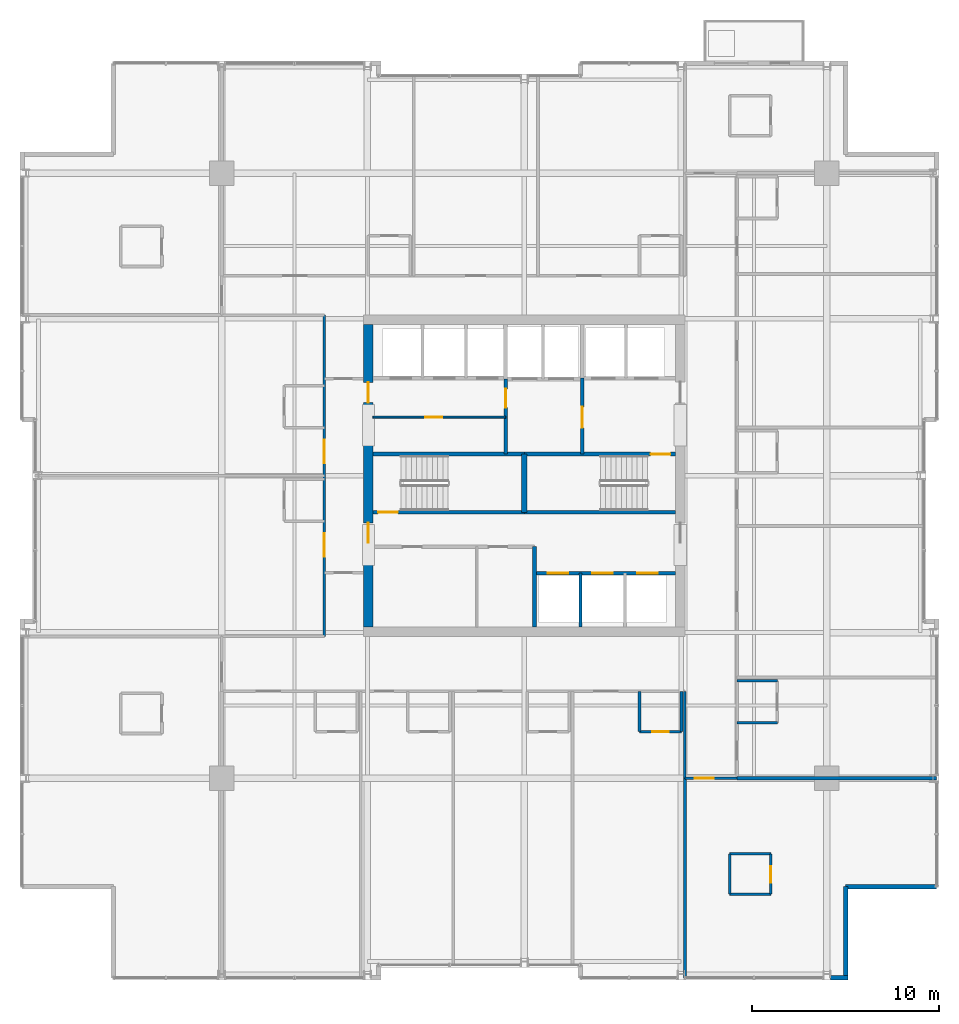
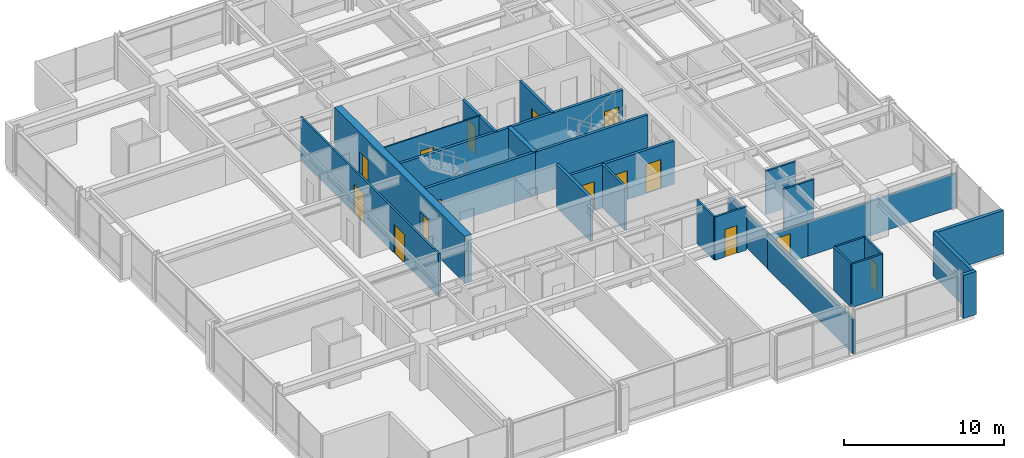
# One storey, part 28 of 33: 29 walls, 15 doors, 15 openings.
"""IFC4 building model written with IfcOpenShell, lengths in metres."""

from ifc_helpers import new_model, si_unit, direction, frame, frame_2d, origin, place, context, subcontext, project, spatial, rectangle, extrude, material, layer, layer_set, type_object, element, fill, save


model = new_model("IFC4")

# Units and contexts
model_context = context("Model", 3, precision=1e-05, world=origin(), true_north=direction((0.0, 1.0)))
body_context = subcontext(model_context, "Body", "Model", "MODEL_VIEW")
ifc_project = project(units=[si_unit("LENGTHUNIT", "METRE"), si_unit("AREAUNIT", "SQUARE_METRE"), si_unit("VOLUMEUNIT", "CUBIC_METRE"), si_unit("PLANEANGLEUNIT", "RADIAN"), si_unit("MASSUNIT", "GRAM", prefix="KILO")], contexts=[model_context])

# Site, building, storey
site_placement = place(None, origin())
site = spatial("IfcSite", under=ifc_project, at=site_placement, CompositionType="ELEMENT")
building_placement = place(site_placement, origin())
building = spatial("IfcBuilding", under=site, at=building_placement, Name="Drelvath Grand Hotel", CompositionType="ELEMENT")
storey_placement = place(building_placement, frame((0.0, 0.0, 178.800048828125)))
storey = spatial("IfcBuildingStorey", under=building, at=storey_placement, Name="L46", CompositionType="ELEMENT", Elevation=178.800048828125)

# Wall, opening, door
ifc_material_1 = material(Name="Gypsum Partition Board")
ifc_layer_1 = layer(ifc_material_1, 0.10009765625)
ifc_layer_set_1 = layer_set([ifc_layer_1], Name="Gypsum Partition Board")
wall_type_1 = type_object("IfcWallType", Name="Core Closet Partition 100", PredefinedType="PARTITIONING", material=ifc_layer_set_1)
wall_1_placement = place(storey_placement, frame((-8.10009765625, 30.139892578125, 0.0), z_axis=(0.0, 0.0, 1.0), x_axis=(1.0, 0.0, 0.0)))
wall_1 = element("IfcWall", 1, at=wall_1_placement, inside=storey, type_object=wall_type_1, Name="L46 High-Rise Lobby Closet Wall", PredefinedType="PARTITIONING", context=body_context, shape_type="SweptSolid", body=[
    extrude(rectangle(XDim=7.10009765625, YDim=0.10009765625, at=frame_2d((3.550048828125, 0.0))), origin(), (0.0, 0.0, 1.0), 3.2900390625),
])
opening_1_placement = place(wall_1_placement, frame((2.800048828125, 0.0, 0.0)))
opening_1 = element("IfcOpeningElement", 2, at=opening_1_placement, cuts=wall_1, Name="Opening D-T3G3-014", PredefinedType="OPENING", context=body_context, shape_type="SweptSolid", body=[
    extrude(rectangle(XDim=0.919921875, YDim=2.10009765625, at=frame_2d((0.4599609375, 1.050048828125))), frame((0.0, 0.06005859375, 0.0), z_axis=(0.0, -1.0, 0.0), x_axis=(1.0, 0.0, 0.0)), (0.0, 0.0, 1.0), 0.1201171875),
])
ifc_material_2 = material(Name="Painted Steel S275", Category="steel")
door_type_1 = type_object("IfcDoorType", Name="Staff Utility Door 920x2100", OperationType="NOTDEFINED", PredefinedType="DOOR", material=ifc_material_2)
door_1_placement = place(opening_1_placement, origin())
door_1 = element("IfcDoor", 3, at=door_1_placement, inside=storey, type_object=door_type_1, Name="L46 Core Telecom Door", OperationType="SINGLE_SWING_LEFT", OverallHeight=2.10009765625, OverallWidth=0.919921875, PredefinedType="DOOR", context=body_context, shape_type="SweptSolid", body=[
    extrude(rectangle(XDim=0.919921875, YDim=2.10009765625, at=frame_2d((0.4599609375, 1.050048828125))), frame((0.0, 0.02490234375, 0.0), z_axis=(0.0, -1.0, 0.0), x_axis=(1.0, 0.0, 0.0)), (0.0, 0.0, 1.0), 0.050048828125),
])
fill(opening_1, door_1)

# Wall, openings, doors
ifc_material_3 = material(Name="Concrete C40/50", Category="concrete")
ifc_layer_2 = layer(ifc_material_3, 0.199951171875)
ifc_layer_set_2 = layer_set([ifc_layer_2], Name="Concrete C40/50")
wall_type_2 = type_object("IfcWallType", Name="Core Hoistway Fire Wall 200", PredefinedType="SOLIDWALL", material=ifc_layer_set_2)
wall_2_placement = place(storey_placement, frame((8.10009765625, 21.780029296875, 0.0), z_axis=(0.0, 0.0, 1.0), x_axis=(-1.0, 0.0, 0.0)))
wall_2 = element("IfcWall", 4, at=wall_2_placement, inside=storey, type_object=wall_type_2, Name="L46 Bank 2 Hoistway Wall", PredefinedType="SOLIDWALL", context=body_context, shape_type="SweptSolid", body=[
    extrude(rectangle(XDim=7.550048828125, YDim=0.199951171875, at=frame_2d((3.77490234375, 0.0))), origin(), (0.0, 0.0, 1.0), 3.2900390625),
])
opening_2_placement = place(wall_2_placement, frame((5.75, 0.0, 0.0)))
opening_2 = element("IfcOpeningElement", 5, at=opening_2_placement, cuts=wall_2, Name="Opening LD-PE-4", PredefinedType="OPENING", context=body_context, shape_type="SweptSolid", body=[
    extrude(rectangle(XDim=1.10009765625, YDim=2.199951171875, at=frame_2d((0.550048828125, 1.10009765625))), frame((0.0, 0.10986328125, 0.0), z_axis=(0.0, -1.0, 0.0), x_axis=(1.0, 0.0, 0.0)), (0.0, 0.0, 1.0), 0.219970703125),
])
opening_3_placement = place(wall_2_placement, frame((3.35009765625, 0.0, 0.0)))
opening_3 = element("IfcOpeningElement", 6, at=opening_3_placement, cuts=wall_2, Name="Opening LD-PE-5", PredefinedType="OPENING", context=body_context, shape_type="SweptSolid", body=[
    extrude(rectangle(XDim=1.10009765625, YDim=2.199951171875, at=frame_2d((0.550048828125, 1.10009765625))), frame((0.0, 0.10986328125, 0.0), z_axis=(0.0, -1.0, 0.0), x_axis=(1.0, 0.0, 0.0)), (0.0, 0.0, 1.0), 0.219970703125),
])
opening_4_placement = place(wall_2_placement, frame((0.949951171875, 0.0, 0.0)))
opening_4 = element("IfcOpeningElement", 7, at=opening_4_placement, cuts=wall_2, Name="Opening LD-PE-6", PredefinedType="OPENING", context=body_context, shape_type="SweptSolid", body=[
    extrude(rectangle(XDim=1.10009765625, YDim=2.199951171875, at=frame_2d((0.550048828125, 1.10009765625))), frame((0.0, 0.10986328125, 0.0), z_axis=(0.0, -1.0, 0.0), x_axis=(1.0, 0.0, 0.0)), (0.0, 0.0, 1.0), 0.219970703125),
])
ifc_material_4 = material(Name="Stainless Steel S355", Category="steel")
door_type_2 = type_object("IfcDoorType", Name="Passenger Lift Sliding Landing Door 1100x2200", OperationType="NOTDEFINED", PredefinedType="DOOR", material=ifc_material_4)
door_2_placement = place(opening_2_placement, origin())
door_2 = element("IfcDoor", 8, at=door_2_placement, inside=storey, type_object=door_type_2, Name="L46 Lift PE-4 Landing Door", OperationType="SLIDING_TO_LEFT", OverallHeight=2.199951171875, OverallWidth=1.10009765625, PredefinedType="DOOR", context=body_context, shape_type="SweptSolid", body=[
    extrude(rectangle(XDim=1.10009765625, YDim=2.199951171875, at=frame_2d((0.550048828125, 1.10009765625))), frame((0.0, 0.02490234375, 0.0), z_axis=(0.0, -1.0, 0.0), x_axis=(1.0, 0.0, 0.0)), (0.0, 0.0, 1.0), 0.050048828125),
])
fill(opening_2, door_2)
door_3_placement = place(opening_3_placement, origin())
door_3 = element("IfcDoor", 9, at=door_3_placement, inside=storey, type_object=door_type_2, Name="L46 Lift PE-5 Landing Door", OperationType="SLIDING_TO_LEFT", OverallHeight=2.199951171875, OverallWidth=1.10009765625, PredefinedType="DOOR", context=body_context, shape_type="SweptSolid", body=[
    extrude(rectangle(XDim=1.10009765625, YDim=2.199951171875, at=frame_2d((0.550048828125, 1.10009765625))), frame((0.0, 0.02490234375, 0.0), z_axis=(0.0, -1.0, 0.0), x_axis=(1.0, 0.0, 0.0)), (0.0, 0.0, 1.0), 0.050048828125),
])
fill(opening_3, door_3)
door_4_placement = place(opening_4_placement, origin())
door_4 = element("IfcDoor", 10, at=door_4_placement, inside=storey, type_object=door_type_2, Name="L46 Lift PE-6 Landing Door", OperationType="SLIDING_TO_LEFT", OverallHeight=2.199951171875, OverallWidth=1.10009765625, PredefinedType="DOOR", context=body_context, shape_type="SweptSolid", body=[
    extrude(rectangle(XDim=1.10009765625, YDim=2.199951171875, at=frame_2d((0.550048828125, 1.10009765625))), frame((0.0, 0.02490234375, 0.0), z_axis=(0.0, -1.0, 0.0), x_axis=(1.0, 0.0, 0.0)), (0.0, 0.0, 1.0), 0.050048828125),
])
fill(opening_4, door_4)

# Wall
wall_3_placement = place(storey_placement, frame((0.550048828125, 18.89990234375, 0.0), z_axis=(0.0, 0.0, 1.0), x_axis=(0.0, 1.0, 0.0)))
element("IfcWall", 11, at=wall_3_placement, inside=storey, type_object=wall_type_2, Name="L46 Bank 2 West Wall", PredefinedType="SOLIDWALL", context=body_context, shape_type="SweptSolid", body=[
    extrude(rectangle(XDim=4.300048828125, YDim=0.199951171875, at=frame_2d((2.14990234375, 0.0))), origin(), (0.0, 0.0, 1.0), 3.2900390625),
])

# Wall, opening, door
ifc_layer_3 = layer(ifc_material_3, 0.199951171875)
ifc_layer_set_3 = layer_set([ifc_layer_3], Name="Concrete C40/50")
wall_type_3 = type_object("IfcWallType", Name="Core Shaft Fire Wall 200", PredefinedType="SOLIDWALL", material=ifc_layer_set_3)
wall_4_placement = place(storey_placement, frame((-8.10009765625, 25.0400390625, 0.0), z_axis=(0.0, 0.0, 1.0), x_axis=(1.0, 0.0, 0.0)))
wall_4 = element("IfcWall", 12, at=wall_4_placement, inside=storey, type_object=wall_type_3, Name="L46 Stair ST-1 South Wall", PredefinedType="SOLIDWALL", context=body_context, shape_type="SweptSolid", body=[
    extrude(rectangle(XDim=8.10009765625, YDim=0.199951171875, at=frame_2d((4.050048828125, 0.0))), origin(), (0.0, 0.0, 1.0), 3.2900390625),
])
opening_5_placement = place(wall_4_placement, frame((0.280029296875, 0.0, 0.0)))
opening_5 = element("IfcOpeningElement", 13, at=opening_5_placement, cuts=wall_4, Name="Opening D-T3G3-001", PredefinedType="OPENING", context=body_context, shape_type="SweptSolid", body=[
    extrude(rectangle(XDim=1.050048828125, YDim=2.10009765625, at=frame_2d((0.52490234375, 1.050048828125))), frame((0.0, 0.10986328125, 0.0), z_axis=(0.0, -1.0, 0.0), x_axis=(1.0, 0.0, 0.0)), (0.0, 0.0, 1.0), 0.219970703125),
])
door_type_3 = type_object("IfcDoorType", Name="Tower Stairwell Fire Door 1050x2100", OperationType="NOTDEFINED", PredefinedType="DOOR", material=ifc_material_2)
door_5_placement = place(opening_5_placement, origin())
door_5 = element("IfcDoor", 14, at=door_5_placement, inside=storey, type_object=door_type_3, Name="L46 Exit Stair ST-1 Door", OperationType="SINGLE_SWING_LEFT", OverallHeight=2.10009765625, OverallWidth=1.050048828125, PredefinedType="DOOR", context=body_context, shape_type="SweptSolid", body=[
    extrude(rectangle(XDim=1.050048828125, YDim=2.10009765625, at=frame_2d((0.52490234375, 1.050048828125))), frame((0.0, 0.02490234375, 0.0), z_axis=(0.0, -1.0, 0.0), x_axis=(1.0, 0.0, 0.0)), (0.0, 0.0, 1.0), 0.050048828125),
])
fill(opening_5, door_5)

# Walls
for number, where, z_axis, x_axis, name in (
    (15, (-8.10009765625, 28.159912109375, 0.0), (0.0, 0.0, 1.0), (1.0, 0.0, 0.0), "L46 Stair ST-1 North Wall"),
    (16, (0.0, 25.0400390625, 0.0), (0.0, 0.0, 1.0), (1.0, 0.0, 0.0), "L46 Stair ST-2 South Wall"),
):
    element("IfcWall", number, at=place(storey_placement, frame(where, z_axis=z_axis, x_axis=x_axis)), inside=storey, type_object=wall_type_3, Name=name, PredefinedType="SOLIDWALL", context=body_context, shape_type="SweptSolid", body=[
        extrude(rectangle(XDim=8.10009765625, YDim=0.199951171875, at=frame_2d((4.050048828125, 0.0))), origin(), (0.0, 0.0, 1.0), 3.2900390625),
    ])

# Wall, opening, door
wall_5_placement = place(storey_placement, frame((8.10009765625, 28.159912109375, 0.0), z_axis=(0.0, 0.0, 1.0), x_axis=(-1.0, 0.0, 0.0)))
wall_5 = element("IfcWall", 17, at=wall_5_placement, inside=storey, type_object=wall_type_3, Name="L46 Stair ST-2 North Wall", PredefinedType="SOLIDWALL", context=body_context, shape_type="SweptSolid", body=[
    extrude(rectangle(XDim=8.10009765625, YDim=0.199951171875, at=frame_2d((4.050048828125, 0.0))), origin(), (0.0, 0.0, 1.0), 3.2900390625),
])
opening_6_placement = place(wall_5_placement, frame((0.280029296875, 0.0, 0.0)))
opening_6 = element("IfcOpeningElement", 18, at=opening_6_placement, cuts=wall_5, Name="Opening D-T3G3-002", PredefinedType="OPENING", context=body_context, shape_type="SweptSolid", body=[
    extrude(rectangle(XDim=1.050048828125, YDim=2.10009765625, at=frame_2d((0.52490234375, 1.050048828125))), frame((0.0, 0.10986328125, 0.0), z_axis=(0.0, -1.0, 0.0), x_axis=(1.0, 0.0, 0.0)), (0.0, 0.0, 1.0), 0.219970703125),
])
door_6_placement = place(opening_6_placement, origin())
door_6 = element("IfcDoor", 19, at=door_6_placement, inside=storey, type_object=door_type_3, Name="L46 Exit Stair ST-2 Door", OperationType="SINGLE_SWING_LEFT", OverallHeight=2.10009765625, OverallWidth=1.050048828125, PredefinedType="DOOR", context=body_context, shape_type="SweptSolid", body=[
    extrude(rectangle(XDim=1.050048828125, YDim=2.10009765625, at=frame_2d((0.52490234375, 1.050048828125))), frame((0.0, 0.02490234375, 0.0), z_axis=(0.0, -1.0, 0.0), x_axis=(1.0, 0.0, 0.0)), (0.0, 0.0, 1.0), 0.050048828125),
])
fill(opening_6, door_6)

# Walls
ifc_layer_4 = layer(ifc_material_3, 0.300048828125)
ifc_layer_set_4 = layer_set([ifc_layer_4], Name="Concrete C40/50")
wall_type_4 = type_object("IfcWallType", Name="Core Shaft Fire Wall 300", PredefinedType="SOLIDWALL", material=ifc_layer_set_4)
wall_6_placement = place(storey_placement, frame((0.0, 25.0400390625, 0.0), z_axis=(0.0, 0.0, 1.0), x_axis=(0.0, 1.0, 0.0)))
element("IfcWall", 20, at=wall_6_placement, inside=storey, type_object=wall_type_4, Name="L46 Core Stair Divider Wall", PredefinedType="SOLIDWALL", context=body_context, shape_type="SweptSolid", body=[
    extrude(rectangle(XDim=3.119873046875, YDim=0.300048828125, at=frame_2d((1.56005859375, 0.0))), origin(), (0.0, 0.0, 1.0), 3.2900390625),
])
ifc_material_5 = material(Name="Gypsum Fireboard Partition")
ifc_layer_5 = layer(ifc_material_5, 0.1650390625)
ifc_layer_set_5 = layer_set([ifc_layer_5], Name="Gypsum Fireboard Partition")
wall_type_5 = type_object("IfcWallType", Name="Core Shaft Partition 165", PredefinedType="PARTITIONING", material=ifc_layer_set_5)
wall_7_placement = place(storey_placement, frame((3.0, 18.89990234375, 0.0), z_axis=(0.0, 0.0, 1.0), x_axis=(0.0, 1.0, 0.0)))
element("IfcWall", 21, at=wall_7_placement, inside=storey, type_object=wall_type_5, Name="L46 Lift PE-4/5 Divider", PredefinedType="PARTITIONING", context=body_context, shape_type="SweptSolid", body=[
    extrude(rectangle(XDim=2.880126953125, YDim=0.1650390625, at=frame_2d((1.43994140625, 0.0))), origin(), (0.0, 0.0, 1.0), 3.2900390625),
])
ifc_layer_6 = layer(ifc_material_5, 0.135009765625)
ifc_layer_set_6 = layer_set([ifc_layer_6], Name="Gypsum Fireboard Partition")
wall_type_6 = type_object("IfcWallType", Name="Corridor Fire Barrier Wall 135", PredefinedType="PARTITIONING", material=ifc_layer_set_6)
wall_8_placement = place(storey_placement, frame((8.60009765625, 10.800048828125, 0.0), z_axis=(0.0, 0.0, 1.0), x_axis=(0.0, 1.0, 0.0)))
element("IfcWall", 22, at=wall_8_placement, inside=storey, type_object=wall_type_6, Name="L46 East Spine South Inner Wall", PredefinedType="PARTITIONING", context=body_context, shape_type="SweptSolid", body=[
    extrude(rectangle(XDim=4.64990234375, YDim=0.135009765625, at=frame_2d((2.324951171875, 0.0))), origin(), (0.0, 0.0, 1.0), 2.667236328125),
])

# Wall, openings, doors
wall_9_placement = place(storey_placement, frame((-10.699951171875, 18.39990234375, 0.0), z_axis=(0.0, 0.0, 1.0), x_axis=(0.0, 1.0, 0.0)))
wall_9 = element("IfcWall", 23, at=wall_9_placement, inside=storey, type_object=wall_type_6, Name="L46 West Spine Wall", PredefinedType="PARTITIONING", context=body_context, shape_type="SweptSolid", body=[
    extrude(rectangle(XDim=17.2001953125, YDim=0.135009765625, at=frame_2d((8.60009765625, 0.0))), origin(), (0.0, 0.0, 1.0), 3.2900390625),
])
opening_7_placement = place(wall_9_placement, frame((4.2548828125, 0.0, 0.0)))
opening_7 = element("IfcOpeningElement", 24, at=opening_7_placement, cuts=wall_9, Name="Opening D-T3G3-054", PredefinedType="OPENING", context=body_context, shape_type="SweptSolid", body=[
    extrude(rectangle(XDim=1.260009765625, YDim=2.199951171875, at=frame_2d((0.6298828125, 1.10009765625))), frame((0.0, 0.077392578125, 0.0), z_axis=(0.0, -1.0, 0.0), x_axis=(1.0, 0.0, 0.0)), (0.0, 0.0, 1.0), 0.155029296875),
])
opening_8_placement = place(wall_9_placement, frame((9.2548828125, 0.0, 0.0)))
opening_8 = element("IfcOpeningElement", 25, at=opening_8_placement, cuts=wall_9, Name="Opening D-T3G3-056", PredefinedType="OPENING", context=body_context, shape_type="SweptSolid", body=[
    extrude(rectangle(XDim=1.260009765625, YDim=2.199951171875, at=frame_2d((0.6298828125, 1.10009765625))), frame((0.0, 0.077392578125, 0.0), z_axis=(0.0, -1.0, 0.0), x_axis=(1.0, 0.0, 0.0)), (0.0, 0.0, 1.0), 0.155029296875),
])
ifc_material_6 = material(Name="Hardwood Walnut Timber", Category="wood")
door_type_4 = type_object("IfcDoorType", Name="Suite Entrance Fire Door 1260x2200", OperationType="NOTDEFINED", PredefinedType="DOOR", material=ifc_material_6)
door_7_placement = place(opening_7_placement, origin())
door_7 = element("IfcDoor", 26, at=door_7_placement, inside=storey, type_object=door_type_4, Name="L46 Executive Suite Entry Door", OperationType="SINGLE_SWING_RIGHT", OverallHeight=2.199951171875, OverallWidth=1.260009765625, PredefinedType="DOOR", context=body_context, shape_type="SweptSolid", body=[
    extrude(rectangle(XDim=1.260009765625, YDim=2.199951171875, at=frame_2d((0.6298828125, 1.10009765625))), frame((0.0, 0.02490234375, 0.0), z_axis=(0.0, -1.0, 0.0), x_axis=(1.0, 0.0, 0.0)), (0.0, 0.0, 1.0), 0.050048828125),
])
fill(opening_7, door_7)
door_8_placement = place(opening_8_placement, origin())
door_8 = element("IfcDoor", 27, at=door_8_placement, inside=storey, type_object=door_type_4, Name="L46 Executive Suite Entry Door", OperationType="SINGLE_SWING_RIGHT", OverallHeight=2.199951171875, OverallWidth=1.260009765625, PredefinedType="DOOR", context=body_context, shape_type="SweptSolid", body=[
    extrude(rectangle(XDim=1.260009765625, YDim=2.199951171875, at=frame_2d((0.6298828125, 1.10009765625))), frame((0.0, 0.02490234375, 0.0), z_axis=(0.0, -1.0, 0.0), x_axis=(1.0, 0.0, 0.0)), (0.0, 0.0, 1.0), 0.050048828125),
])
fill(opening_8, door_8)

# Wall, opening, door
wall_10_placement = place(storey_placement, frame((8.60009765625, 10.800048828125, 0.0), z_axis=(0.0, 0.0, 1.0), x_axis=(1.0, 0.0, 0.0)))
wall_10 = element("IfcWall", 28, at=wall_10_placement, inside=storey, type_object=wall_type_6, Name="L46 East Spine South End", PredefinedType="PARTITIONING", context=body_context, shape_type="SweptSolid", body=[
    extrude(rectangle(XDim=2.7998046875, YDim=0.135009765625, at=frame_2d((1.39990234375, 0.0))), origin(), (0.0, 0.0, 1.0), 2.57958984375),
])
opening_9_placement = place(wall_10_placement, frame((0.52001953125, 0.0, 0.0)))
opening_9 = element("IfcOpeningElement", 29, at=opening_9_placement, cuts=wall_10, Name="Opening D-T3G3-029", PredefinedType="OPENING", context=body_context, shape_type="SweptSolid", body=[
    extrude(rectangle(XDim=1.02001953125, YDim=2.14990234375, at=frame_2d((0.510009765625, 1.074951171875))), frame((0.0, 0.077392578125, 0.0), z_axis=(0.0, -1.0, 0.0), x_axis=(1.0, 0.0, 0.0)), (0.0, 0.0, 1.0), 0.155029296875),
])
door_type_5 = type_object("IfcDoorType", Name="Amenity Meeting Fire Door 1020x2150", OperationType="NOTDEFINED", PredefinedType="DOOR", material=ifc_material_6)
door_9_placement = place(opening_9_placement, origin())
door_9 = element("IfcDoor", 30, at=door_9_placement, inside=storey, type_object=door_type_5, Name="L46 Executive Suite Entry Door", OperationType="SINGLE_SWING_LEFT", OverallHeight=2.14990234375, OverallWidth=1.02001953125, PredefinedType="DOOR", context=body_context, shape_type="SweptSolid", body=[
    extrude(rectangle(XDim=1.02001953125, YDim=2.14990234375, at=frame_2d((0.510009765625, 1.074951171875))), frame((0.0, 0.02490234375, 0.0), z_axis=(0.0, -1.0, 0.0), x_axis=(1.0, 0.0, 0.0)), (0.0, 0.0, 1.0), 0.050048828125),
])
fill(opening_9, door_9)

# Walls
ifc_material_7 = material(Name="Moisture-Resistant Gypsum Board")
ifc_layer_7 = layer(ifc_material_7, 0.139892578125)
ifc_layer_set_7 = layer_set([ifc_layer_7], Name="Moisture-Resistant Gypsum Board")
wall_type_7 = type_object("IfcWallType", Name="En-Suite Plumbing Wall 140", PredefinedType="PLUMBINGWALL", material=ifc_layer_set_7)
for number, where, z_axis, x_axis, name in (
    (31, (11.0, 4.60009765625, 0.0), (0.0, 0.0, 1.0), (1.0, 0.0, 0.0), "L46 Corner En-Suite South"),
    (32, (11.0, 6.75, 0.0), (0.0, 0.0, 1.0), (1.0, 0.0, 0.0), "L46 Corner En-Suite North"),
):
    element("IfcWall", number, at=place(storey_placement, frame(where, z_axis=z_axis, x_axis=x_axis)), inside=storey, type_object=wall_type_7, Name=name, PredefinedType="PLUMBINGWALL", context=body_context, shape_type="SweptSolid", body=[
        extrude(rectangle(XDim=2.199951171875, YDim=0.139892578125, at=frame_2d((1.10009765625, 0.0))), origin(), (0.0, 0.0, 1.0), 3.2900390625),
    ])
wall_11_placement = place(storey_placement, frame((11.0, 4.60009765625, 0.0), z_axis=(0.0, 0.0, 1.0), x_axis=(0.0, 1.0, 0.0)))
element("IfcWall", 33, at=wall_11_placement, inside=storey, type_object=wall_type_7, Name="L46 Corner En-Suite West", PredefinedType="PLUMBINGWALL", context=body_context, shape_type="SweptSolid", body=[
    extrude(rectangle(XDim=2.14990234375, YDim=0.139892578125, at=frame_2d((1.074951171875, 0.0))), origin(), (0.0, 0.0, 1.0), 3.2900390625),
])

# Wall, opening, door
wall_12_placement = place(storey_placement, frame((13.199951171875, 4.60009765625, 0.0), z_axis=(0.0, 0.0, 1.0), x_axis=(0.0, 1.0, 0.0)))
wall_12 = element("IfcWall", 34, at=wall_12_placement, inside=storey, type_object=wall_type_7, Name="L46 Corner En-Suite East", PredefinedType="PLUMBINGWALL", context=body_context, shape_type="SweptSolid", body=[
    extrude(rectangle(XDim=2.14990234375, YDim=0.139892578125, at=frame_2d((1.074951171875, 0.0))), origin(), (0.0, 0.0, 1.0), 3.2900390625),
])
opening_10_placement = place(wall_12_placement, frame((0.6201171875, 0.0, 0.0)))
opening_10 = element("IfcOpeningElement", 35, at=opening_10_placement, cuts=wall_12, Name="Opening D-T3G3-028", PredefinedType="OPENING", context=body_context, shape_type="SweptSolid", body=[
    extrude(rectangle(XDim=0.8798828125, YDim=2.10009765625, at=frame_2d((0.43994140625, 1.050048828125))), frame((0.0, 0.079833984375, 0.0), z_axis=(0.0, -1.0, 0.0), x_axis=(1.0, 0.0, 0.0)), (0.0, 0.0, 1.0), 0.159912109375),
])
door_type_6 = type_object("IfcDoorType", Name="En-Suite Bathroom Door 880x2100", OperationType="NOTDEFINED", PredefinedType="DOOR", material=ifc_material_6)
door_10_placement = place(opening_10_placement, origin())
door_10 = element("IfcDoor", 36, at=door_10_placement, inside=storey, type_object=door_type_6, Name="L46 Corner En-Suite Door", OperationType="SINGLE_SWING_RIGHT", OverallHeight=2.10009765625, OverallWidth=0.8798828125, PredefinedType="DOOR", context=body_context, shape_type="SweptSolid", body=[
    extrude(rectangle(XDim=0.8798828125, YDim=2.10009765625, at=frame_2d((0.43994140625, 1.050048828125))), frame((0.0, 0.02490234375, 0.0), z_axis=(0.0, -1.0, 0.0), x_axis=(1.0, 0.0, 0.0)), (0.0, 0.0, 1.0), 0.050048828125),
])
fill(opening_10, door_10)

# Walls
wall_13_placement = place(storey_placement, frame((6.169921875, 15.449951171875, 0.0), z_axis=(0.0, 0.0, 1.0), x_axis=(0.0, -1.0, 0.0)))
element("IfcWall", 37, at=wall_13_placement, inside=storey, type_object=wall_type_7, Name="L46 En-Suite Left Wall", PredefinedType="PLUMBINGWALL", context=body_context, shape_type="SweptSolid", body=[
    extrude(rectangle(XDim=2.14990234375, YDim=0.139892578125, at=frame_2d((1.074951171875, 0.0))), origin(), (0.0, 0.0, 1.0), 3.2900390625),
])
wall_14_placement = place(storey_placement, frame((8.419921875, 15.449951171875, 0.0), z_axis=(0.0, 0.0, 1.0), x_axis=(0.0, -1.0, 0.0)))
element("IfcWall", 38, at=wall_14_placement, inside=storey, type_object=wall_type_7, Name="L46 En-Suite Right Wall", PredefinedType="PLUMBINGWALL", context=body_context, shape_type="SweptSolid", body=[
    extrude(rectangle(XDim=2.14990234375, YDim=0.139892578125, at=frame_2d((1.074951171875, 0.0))), origin(), (0.0, 0.0, 1.0), 2.667236328125),
])

# Wall, opening, door
wall_15_placement = place(storey_placement, frame((6.169921875, 13.300048828125, 0.0), z_axis=(0.0, 0.0, 1.0), x_axis=(1.0, 0.0, 0.0)))
wall_15 = element("IfcWall", 39, at=wall_15_placement, inside=storey, type_object=wall_type_7, Name="L46 En-Suite Front Wall", PredefinedType="PLUMBINGWALL", context=body_context, shape_type="SweptSolid", body=[
    extrude(rectangle(XDim=2.25, YDim=0.139892578125, at=frame_2d((1.125, 0.0))), origin(), (0.0, 0.0, 1.0), 3.2900390625),
])
opening_11_placement = place(wall_15_placement, frame((0.68505859375, 0.0, 0.0)))
opening_11 = element("IfcOpeningElement", 40, at=opening_11_placement, cuts=wall_15, Name="Opening D-T3G3-038", PredefinedType="OPENING", context=body_context, shape_type="SweptSolid", body=[
    extrude(rectangle(XDim=0.8798828125, YDim=2.10009765625, at=frame_2d((0.43994140625, 1.050048828125))), frame((0.0, 0.079833984375, 0.0), z_axis=(0.0, -1.0, 0.0), x_axis=(1.0, 0.0, 0.0)), (0.0, 0.0, 1.0), 0.159912109375),
])
door_11_placement = place(opening_11_placement, origin())
door_11 = element("IfcDoor", 41, at=door_11_placement, inside=storey, type_object=door_type_6, Name="L46 En-Suite Bathroom Door", OperationType="SINGLE_SWING_RIGHT", OverallHeight=2.10009765625, OverallWidth=0.8798828125, PredefinedType="DOOR", context=body_context, shape_type="SweptSolid", body=[
    extrude(rectangle(XDim=0.8798828125, YDim=2.10009765625, at=frame_2d((0.43994140625, 1.050048828125))), frame((0.0, 0.02490234375, 0.0), z_axis=(0.0, -1.0, 0.0), x_axis=(1.0, 0.0, 0.0)), (0.0, 0.0, 1.0), 0.050048828125),
])
fill(opening_11, door_11)

# Walls
for number, where, z_axis, x_axis, name in (
    (42, (11.39990234375, 13.77001953125, 0.0), (0.0, 0.0, 1.0), (1.0, 0.0, 0.0), "L46 En-Suite Left Wall"),
    (43, (11.39990234375, 16.02001953125, 0.0), (0.0, 0.0, 1.0), (1.0, 0.0, 0.0), "L46 En-Suite Right Wall"),
):
    element("IfcWall", number, at=place(storey_placement, frame(where, z_axis=z_axis, x_axis=x_axis)), inside=storey, type_object=wall_type_7, Name=name, PredefinedType="PLUMBINGWALL", context=body_context, shape_type="SweptSolid", body=[
        extrude(rectangle(XDim=2.150146484375, YDim=0.139892578125, at=frame_2d((1.0751953125, 0.0))), origin(), (0.0, 0.0, 1.0), 3.2900390625),
    ])

# Wall, opening, door
ifc_layer_8 = layer(ifc_material_5, 0.179931640625)
ifc_layer_set_8 = layer_set([ifc_layer_8], Name="Gypsum Fireboard Partition")
wall_type_8 = type_object("IfcWallType", Name="FSAE Smoke Lobby Fire Wall 180", PredefinedType="SOLIDWALL", material=ifc_layer_set_8)
wall_16_placement = place(storey_placement, frame((3.10009765625, 28.159912109375, 0.0), z_axis=(0.0, 0.0, 1.0), x_axis=(0.0, 1.0, 0.0)))
wall_16 = element("IfcWall", 44, at=wall_16_placement, inside=storey, type_object=wall_type_8, Name="L46 FSAE Smoke Lobby West Wall", PredefinedType="SOLIDWALL", context=body_context, shape_type="SweptSolid", body=[
    extrude(rectangle(XDim=4.06005859375, YDim=0.179931640625, at=frame_2d((2.030029296875, 0.0))), origin(), (0.0, 0.0, 1.0), 3.2900390625),
])
opening_12_placement = place(wall_16_placement, frame((1.39990234375, 0.0, 0.0)))
opening_12 = element("IfcOpeningElement", 45, at=opening_12_placement, cuts=wall_16, Name="Opening D-T3G3-005", PredefinedType="OPENING", context=body_context, shape_type="SweptSolid", body=[
    extrude(rectangle(XDim=1.1201171875, YDim=2.10009765625, at=frame_2d((0.56005859375, 1.050048828125))), frame((0.0, 0.099853515625, 0.0), z_axis=(0.0, -1.0, 0.0), x_axis=(1.0, 0.0, 0.0)), (0.0, 0.0, 1.0), 0.199951171875),
])
door_type_7 = type_object("IfcDoorType", Name="FSAE Smoke Lobby Fire Door 1120x2100", OperationType="NOTDEFINED", PredefinedType="DOOR", material=ifc_material_2)
door_12_placement = place(opening_12_placement, origin())
door_12 = element("IfcDoor", 46, at=door_12_placement, inside=storey, type_object=door_type_7, Name="L46 FSAE Lobby Service Vestibule Door", OperationType="SINGLE_SWING_RIGHT", OverallHeight=2.10009765625, OverallWidth=1.1201171875, PredefinedType="DOOR", context=body_context, shape_type="SweptSolid", body=[
    extrude(rectangle(XDim=1.1201171875, YDim=2.10009765625, at=frame_2d((0.56005859375, 1.050048828125))), frame((0.0, 0.02490234375, 0.0), z_axis=(0.0, -1.0, 0.0), x_axis=(1.0, 0.0, 0.0)), (0.0, 0.0, 1.0), 0.050048828125),
])
fill(opening_12, door_12)

wall_17_placement = place(storey_placement, frame((-1.0, 28.159912109375, 0.0), z_axis=(0.0, 0.0, 1.0), x_axis=(0.0, 1.0, 0.0)))
wall_17 = element("IfcWall", 47, at=wall_17_placement, inside=storey, type_object=wall_type_8, Name="L46 Service Vestibule West Wall", PredefinedType="SOLIDWALL", context=body_context, shape_type="SweptSolid", body=[
    extrude(rectangle(XDim=4.02001953125, YDim=0.179931640625, at=frame_2d((2.010009765625, 0.0))), origin(), (0.0, 0.0, 1.0), 3.2900390625),
])
opening_13_placement = place(wall_17_placement, frame((2.489990234375, 0.0, 0.0)))
opening_13 = element("IfcOpeningElement", 48, at=opening_13_placement, cuts=wall_17, Name="Opening D-T3G3-009", PredefinedType="OPENING", context=body_context, shape_type="SweptSolid", body=[
    extrude(rectangle(XDim=1.0, YDim=2.10009765625, at=frame_2d((0.5, 1.050048828125))), frame((0.0, 0.099853515625, 0.0), z_axis=(0.0, -1.0, 0.0), x_axis=(1.0, 0.0, 0.0)), (0.0, 0.0, 1.0), 0.199951171875),
])
door_type_8 = type_object("IfcDoorType", Name="Core Service Fire Door 1000x2100", OperationType="NOTDEFINED", PredefinedType="DOOR", material=ifc_material_2)
door_13_placement = place(opening_13_placement, origin())
door_13 = element("IfcDoor", 49, at=door_13_placement, inside=storey, type_object=door_type_8, Name="L46 Service Vestibule West Door", OperationType="SINGLE_SWING_LEFT", OverallHeight=2.10009765625, OverallWidth=1.0, PredefinedType="DOOR", context=body_context, shape_type="SweptSolid", body=[
    extrude(rectangle(XDim=1.0, YDim=2.10009765625, at=frame_2d((0.5, 1.050048828125))), frame((0.0, 0.02490234375, 0.0), z_axis=(0.0, -1.0, 0.0), x_axis=(1.0, 0.0, 0.0)), (0.0, 0.0, 1.0), 0.050048828125),
])
fill(opening_13, door_13)

# Walls
ifc_material_8 = material(Name="Gypsum Acoustic Partition")
ifc_layer_9 = layer(ifc_material_8, 0.1650390625)
ifc_layer_set_9 = layer_set([ifc_layer_9], Name="Gypsum Acoustic Partition")
wall_type_9 = type_object("IfcWallType", Name="Suite Demising Wall 165", PredefinedType="PARTITIONING", material=ifc_layer_set_9)
wall_18_placement = place(storey_placement, frame((8.60009765625, 0.1201171875, 0.0), z_axis=(0.0, 0.0, 1.0), x_axis=(0.0, 1.0, 0.0)))
element("IfcWall", 50, at=wall_18_placement, inside=storey, type_object=wall_type_9, Name="L46 SE Suite West Wall", PredefinedType="PARTITIONING", context=body_context, shape_type="SweptSolid", body=[
    extrude(rectangle(XDim=10.679931640625, YDim=0.1650390625, at=frame_2d((5.33984375, 0.0))), origin(), (0.0, 0.0, 1.0), 2.57958984375),
])
wall_19_placement = place(storey_placement, frame((11.39990234375, 10.800048828125, 0.0), z_axis=(0.0, 0.0, 1.0), x_axis=(1.0, 0.0, 0.0)))
element("IfcWall", 51, at=wall_19_placement, inside=storey, type_object=wall_type_9, Name="L46 SE Suite North Wall", PredefinedType="PARTITIONING", context=body_context, shape_type="SweptSolid", body=[
    extrude(rectangle(XDim=10.68017578125, YDim=0.1650390625, at=frame_2d((5.340087890625, 0.0))), origin(), (0.0, 0.0, 1.0), 2.57958984375),
])
ifc_material_9 = material(Name="Pale-Metal Insulated Aluminium Spandrel Assembly", Category="aluminium")
ifc_layer_10 = layer(ifc_material_9, 0.239990234375)
ifc_layer_set_10 = layer_set([ifc_layer_10], Name="Pale-Metal Insulated Aluminium Spandrel Assembly")
wall_type_10 = type_object("IfcWallType", Name="Tower Insulated Metal Spandrel Closure Wall 240", PredefinedType="STANDARD", material=ifc_layer_set_10)
wall_20_placement = place(storey_placement, frame((17.320068359375, 0.1201171875, 0.0), z_axis=(0.0, 0.0, 1.0), x_axis=(-1.0, 0.0, 0.0)))
element("IfcWall", 52, at=wall_20_placement, inside=storey, type_object=wall_type_10, Name="L46 Corner Pier Spandrel Wall SE3", PredefinedType="STANDARD", context=body_context, shape_type="SweptSolid", body=[
    extrude(rectangle(XDim=0.928466796875, YDim=0.239990234375, at=frame_2d((0.46435546875, 0.0))), origin(), (0.0, 0.0, 1.0), 3.2900390625),
])
wall_21_placement = place(storey_placement, frame((22.080078125, 5.0, 0.0), z_axis=(0.0, 0.0, 1.0), x_axis=(-1.0, 0.0, 0.0)))
element("IfcWall", 53, at=wall_21_placement, inside=storey, type_object=wall_type_10, Name="L46 Notched Corner Return Spandrel Wall CSE1", PredefinedType="STANDARD", context=body_context, shape_type="SweptSolid", body=[
    extrude(rectangle(XDim=4.880126953125, YDim=0.239990234375, at=frame_2d((2.43994140625, 0.0))), origin(), (0.0, 0.0, 1.0), 3.2900390625),
])
wall_22_placement = place(storey_placement, frame((17.199951171875, 5.0, 0.0), z_axis=(0.0, 0.0, 1.0), x_axis=(0.0, -1.0, 0.0)))
element("IfcWall", 54, at=wall_22_placement, inside=storey, type_object=wall_type_10, Name="L46 Notched Corner Return Spandrel Wall CSE2", PredefinedType="STANDARD", context=body_context, shape_type="SweptSolid", body=[
    extrude(rectangle(XDim=4.760009765625, YDim=0.239990234375, at=frame_2d((2.3798828125, 0.0))), origin(), (0.0, 0.0, 1.0), 3.2900390625),
])

# Wall, openings, doors
ifc_material_10 = material(Name="Concrete f'c 55 MPa", Category="concrete")
ifc_layer_11 = layer(ifc_material_10, 0.5)
ifc_layer_set_11 = layer_set([ifc_layer_11], Name="Concrete f'c 55 MPa")
wall_type_11 = type_object("IfcWallType", Name="Upper Core RC Shear Wall 500", PredefinedType="SHEAR", material=ifc_layer_set_11)
wall_23_placement = place(storey_placement, frame((-8.35009765625, 18.89990234375, 0.0), z_axis=(0.0, 0.0, 1.0), x_axis=(0.0, 1.0, 0.0)))
wall_23 = element("IfcWall", 55, at=wall_23_placement, inside=storey, type_object=wall_type_11, Name="L46 Central Core Shear Wall W", PredefinedType="SHEAR", context=body_context, shape_type="SweptSolid", body=[
    extrude(rectangle(XDim=16.2001953125, YDim=0.5, at=frame_2d((8.10009765625, 0.0))), origin(), (0.0, 0.0, 1.0), 3.550048828125),
])
opening_14_placement = place(wall_23_placement, frame((12.02001953125, 0.0, 0.0)))
opening_14 = element("IfcOpeningElement", 56, at=opening_14_placement, cuts=wall_23, Name="Opening D-T3G3-013", PredefinedType="OPENING", context=body_context, shape_type="SweptSolid", body=[
    extrude(rectangle(XDim=1.080078125, YDim=2.0400390625, at=frame_2d((0.5400390625, 1.02001953125))), frame((0.0, 0.260009765625, 0.0), z_axis=(0.0, -1.0, 0.0), x_axis=(1.0, 0.0, 0.0)), (0.0, 0.0, 1.0), 0.52001953125),
])
opening_15_placement = place(wall_23_placement, frame((4.5, 0.0, 0.0)))
opening_15 = element("IfcOpeningElement", 57, at=opening_15_placement, cuts=wall_23, Name="Opening D-T3G3-018", PredefinedType="OPENING", context=body_context, shape_type="SweptSolid", body=[
    extrude(rectangle(XDim=1.080078125, YDim=2.0400390625, at=frame_2d((0.5400390625, 1.02001953125))), frame((0.0, 0.260009765625, 0.0), z_axis=(0.0, -1.0, 0.0), x_axis=(1.0, 0.0, 0.0)), (0.0, 0.0, 1.0), 0.52001953125),
])
door_type_9 = type_object("IfcDoorType", Name="Core Corridor Fire Door 1080x2100", OperationType="NOTDEFINED", PredefinedType="DOOR", material=ifc_material_2)
door_14_placement = place(opening_14_placement, origin())
door_14 = element("IfcDoor", 58, at=door_14_placement, inside=storey, type_object=door_type_9, Name="L46 High-Rise Lift Lobby West Door", OperationType="SINGLE_SWING_RIGHT", OverallHeight=2.0400390625, OverallWidth=1.080078125, PredefinedType="DOOR", context=body_context, shape_type="SweptSolid", body=[
    extrude(rectangle(XDim=1.080078125, YDim=2.0400390625, at=frame_2d((0.5400390625, 1.02001953125))), frame((0.0, 0.02490234375, 0.0), z_axis=(0.0, -1.0, 0.0), x_axis=(1.0, 0.0, 0.0)), (0.0, 0.0, 1.0), 0.050048828125),
])
fill(opening_14, door_14)
door_15_placement = place(opening_15_placement, origin())
door_15 = element("IfcDoor", 59, at=door_15_placement, inside=storey, type_object=door_type_9, Name="L46 Mid-Rise Lobby West Door", OperationType="SINGLE_SWING_RIGHT", OverallHeight=2.0400390625, OverallWidth=1.080078125, PredefinedType="DOOR", context=body_context, shape_type="SweptSolid", body=[
    extrude(rectangle(XDim=1.080078125, YDim=2.0400390625, at=frame_2d((0.5400390625, 1.02001953125))), frame((0.0, 0.02490234375, 0.0), z_axis=(0.0, -1.0, 0.0), x_axis=(1.0, 0.0, 0.0)), (0.0, 0.0, 1.0), 0.050048828125),
])
fill(opening_15, door_15)

save(model, "model.ifc")
